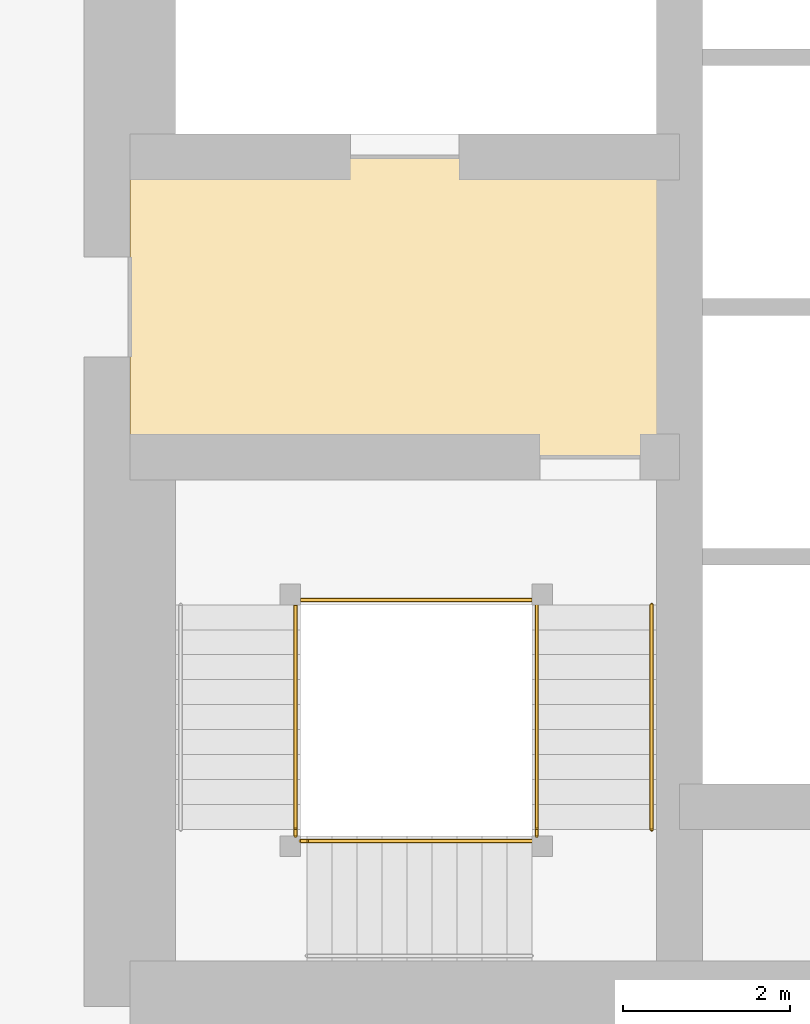
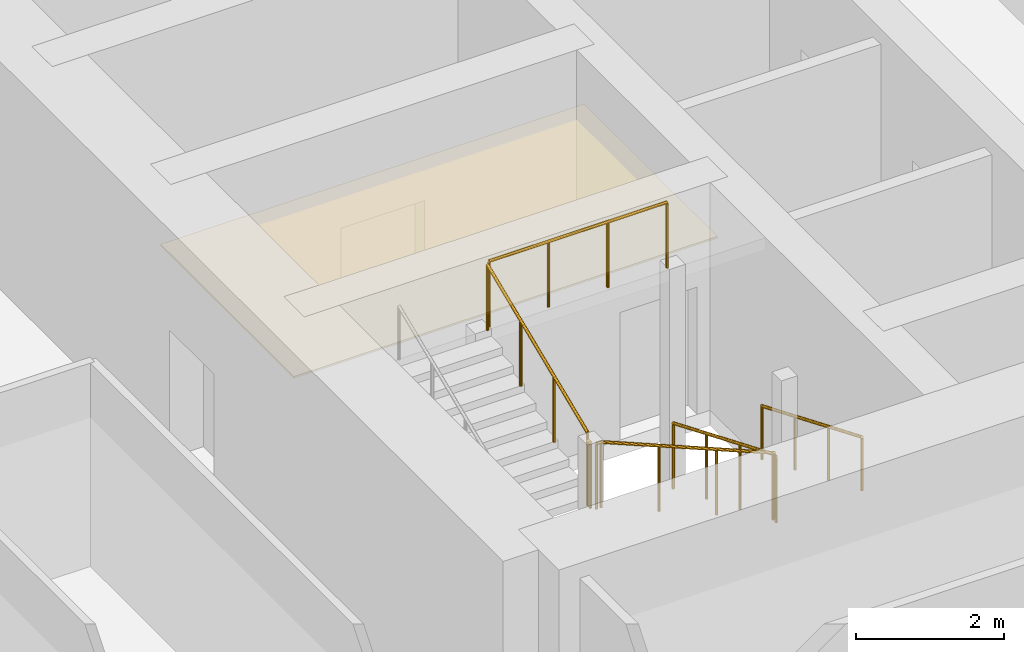
# One storey, part 37 of 44: 8 railings, 1 covering.
"""IFC4 building model written with IfcOpenShell, lengths in metres."""

from ifc_helpers import new_model, si_unit, direction, frame, origin, origin_2d, place, context, subcontext, project, spatial, polyline, circle, outline, extrude, material, layer, layer_set, type_object, element, save


model = new_model("IFC4")

# Units and contexts
model_context = context("Model", 3, precision=1e-05, world=origin(), true_north=direction((0.0, 1.0)))
body_context = subcontext(model_context, "Body", "Model", "MODEL_VIEW")
ifc_project = project(units=[si_unit("LENGTHUNIT", "METRE"), si_unit("AREAUNIT", "SQUARE_METRE"), si_unit("VOLUMEUNIT", "CUBIC_METRE"), si_unit("PLANEANGLEUNIT", "RADIAN"), si_unit("MASSUNIT", "GRAM", prefix="KILO")], contexts=[model_context])

# Site, building, storey
site_placement = place(None, origin())
site = spatial("IfcSite", under=ifc_project, at=site_placement, CompositionType="ELEMENT")
building_placement = place(site_placement, origin())
building = spatial("IfcBuilding", under=site, at=building_placement, Name="Rekha Terrace Tower", CompositionType="ELEMENT")
storey_placement = place(building_placement, frame((0.0, 0.0, 47.89990234375)))
storey = spatial("IfcBuildingStorey", under=building, at=storey_placement, Name="L11", CompositionType="ELEMENT", Elevation=47.89990234375)

# Covering
ifc_material_1 = material(Name="Powder-coated aluminium pan", Category="aluminium")
ifc_layer = layer(ifc_material_1, 0.030029296875)
ifc_layer_set = layer_set([ifc_layer], Name="Powder-coated aluminium pan")
covering_type = type_object("IfcCoveringType", Name="CL3 300x1200 metal pan ceiling", PredefinedType="CEILING", material=ifc_layer_set)
covering_placement = place(storey_placement, frame((0.0, 0.0, 2.570068359375)))
element("IfcCovering", 1, at=covering_placement, inside=storey, type_object=covering_type, Name="Ceiling L11-FLB1", PredefinedType="CEILING", context=body_context, shape_type="SweptSolid", body=[
    extrude(outline(polyline([(31.800048828125, 31.199951171875), (25.199951171875, 31.199951171875), (25.199951171875, 27.60009765625), (31.800048828125, 27.60009765625), (31.800048828125, 31.199951171875)])), origin(), (0.0, 0.0, 1.0), 0.030029296875),
])

# Railings
ifc_material_2 = material(Name="Stainless steel balustrade", Category="steel")
railing_type_1 = type_object("IfcRailingType", Name="GR1 1100 stair guard", PredefinedType="GUARDRAIL", material=ifc_material_2)
railing_1_placement = place(storey_placement, frame((30.0849609375, 25.824951171875, 0.125)))
element("IfcRailing", 2, at=railing_1_placement, inside=storey, type_object=railing_type_1, Name="Guard ST1 L11 flight 1", PredefinedType="GUARDRAIL", context=body_context, shape_type="SweptSolid", body=[
    extrude(circle(Radius=0.02392578125, at=origin_2d()), frame((0.0, 0.0, 1.076171875), z_axis=(0.0, -0.923074453586, 0.384621311341), x_axis=(1.0, 0.0, 0.0)), (0.0, 0.0, 1.0), 2.925048828125),
    extrude(circle(Radius=0.02099609375, at=origin_2d()), origin(), (0.0, 0.0, 1.0), 1.052001953125),
    extrude(circle(Radius=0.02099609375, at=origin_2d()), frame((0.0, -0.89990234375, 0.375)), (0.0, 0.0, 1.0), 1.052001953125),
    extrude(circle(Radius=0.02099609375, at=origin_2d()), frame((0.0, -1.800048828125, 0.75)), (0.0, 0.0, 1.0), 1.052001953125),
    extrude(circle(Radius=0.02099609375, at=origin_2d()), frame((0.0, -2.699951171875, 1.125)), (0.0, 0.0, 1.0), 1.052001953125),
])
railing_2_placement = place(storey_placement, frame((30.02490234375, 22.989990234375, 1.375)))
element("IfcRailing", 3, at=railing_2_placement, inside=storey, type_object=railing_type_1, Name="Guard ST1 L11 flight 2", PredefinedType="GUARDRAIL", context=body_context, shape_type="SweptSolid", body=[
    extrude(circle(Radius=0.02392578125, at=origin_2d()), frame((0.0, 0.0, 1.076171875), z_axis=(-0.923074453586, 0.0, 0.384621311341), x_axis=(0.0, -1.0, 0.0)), (0.0, 0.0, 1.0), 2.925048828125),
    extrude(circle(Radius=0.02099609375, at=origin_2d()), origin(), (0.0, 0.0, 1.0), 1.052001953125),
    extrude(circle(Radius=0.02099609375, at=origin_2d()), frame((-0.89990234375, 0.0, 0.375)), (0.0, 0.0, 1.0), 1.052001953125),
    extrude(circle(Radius=0.02099609375, at=origin_2d()), frame((-1.800048828125, 0.0, 0.75)), (0.0, 0.0, 1.0), 1.052001953125),
    extrude(circle(Radius=0.02099609375, at=origin_2d()), frame((-2.699951171875, 0.0, 1.125)), (0.0, 0.0, 1.0), 1.052001953125),
])
railing_3_placement = place(storey_placement, frame((27.18994140625, 23.125, 2.625)))
element("IfcRailing", 4, at=railing_3_placement, inside=storey, type_object=railing_type_1, Name="Guard ST1 L11 flight 3", PredefinedType="GUARDRAIL", context=body_context, shape_type="SweptSolid", body=[
    extrude(circle(Radius=0.02392578125, at=origin_2d()), frame((0.0, 0.0, 1.076171875), z_axis=(0.0, 0.923074453586, 0.384621311341), x_axis=(-1.0, 0.0, 0.0)), (0.0, 0.0, 1.0), 2.925048828125),
    extrude(circle(Radius=0.02099609375, at=origin_2d()), origin(), (0.0, 0.0, 1.0), 1.052001953125),
    extrude(circle(Radius=0.02099609375, at=origin_2d()), frame((0.0, 0.89990234375, 0.375)), (0.0, 0.0, 1.0), 1.052001953125),
    extrude(circle(Radius=0.02099609375, at=origin_2d()), frame((0.0, 1.800048828125, 0.75)), (0.0, 0.0, 1.0), 1.052001953125),
    extrude(circle(Radius=0.02099609375, at=origin_2d()), frame((0.0, 2.699951171875, 1.125)), (0.0, 0.0, 1.0), 1.052001953125),
])
railing_4_placement = place(storey_placement, frame((30.0849609375, 23.125, 1.25)))
element("IfcRailing", 5, at=railing_4_placement, inside=storey, type_object=railing_type_1, Name="Guard ST1 L11 landing 1", PredefinedType="GUARDRAIL", context=body_context, shape_type="SweptSolid", body=[
    extrude(circle(Radius=0.02392578125, at=origin_2d()), frame((0.0, 0.0, 1.076171875), z_axis=(0.0, -1.0, 0.0), x_axis=(1.0, 0.0, 0.0)), (0.0, 0.0, 1.0), 0.074951171875),
    extrude(circle(Radius=0.02099609375, at=origin_2d()), origin(), (0.0, 0.0, 1.0), 1.052001953125),
    extrude(circle(Radius=0.02099609375, at=origin_2d()), frame((0.0, -0.074951171875, 0.0)), (0.0, 0.0, 1.0), 1.052001953125),
])
railing_5_placement = place(storey_placement, frame((27.324951171875, 22.989990234375, 2.5)))
element("IfcRailing", 6, at=railing_5_placement, inside=storey, type_object=railing_type_1, Name="Guard ST1 L11 landing 2", PredefinedType="GUARDRAIL", context=body_context, shape_type="SweptSolid", body=[
    extrude(circle(Radius=0.02392578125, at=origin_2d()), frame((0.0, 0.0, 1.076171875), z_axis=(-1.0, 0.0, 0.0), x_axis=(0.0, -1.0, 0.0)), (0.0, 0.0, 1.0), 0.074951171875),
    extrude(circle(Radius=0.02099609375, at=origin_2d()), origin(), (0.0, 0.0, 1.0), 1.052001953125),
    extrude(circle(Radius=0.02099609375, at=origin_2d()), frame((-0.074951171875, 0.0, 0.0)), (0.0, 0.0, 1.0), 1.052001953125),
])
railing_6_placement = place(storey_placement, frame((27.18994140625, 23.125, 2.5)))
element("IfcRailing", 7, at=railing_6_placement, inside=storey, type_object=railing_type_1, Name="Guard ST1 L11 landing 3", PredefinedType="GUARDRAIL", context=body_context, shape_type="SweptSolid", body=[
    extrude(circle(Radius=0.02392578125, at=origin_2d()), frame((0.0, 0.0, 1.076171875), z_axis=(0.0, -1.0, 0.0), x_axis=(1.0, 0.0, 0.0)), (0.0, 0.0, 1.0), 0.074951171875),
    extrude(circle(Radius=0.02099609375, at=origin_2d()), origin(), (0.0, 0.0, 1.0), 1.052001953125),
    extrude(circle(Radius=0.02099609375, at=origin_2d()), frame((0.0, -0.074951171875, 0.0)), (0.0, 0.0, 1.0), 1.052001953125),
])
railing_7_placement = place(storey_placement, frame((30.02490234375, 25.885009765625, 3.75)))
element("IfcRailing", 8, at=railing_7_placement, inside=storey, type_object=railing_type_1, Name="Guard ST1 L11 landing 4", PredefinedType="GUARDRAIL", context=body_context, shape_type="SweptSolid", body=[
    extrude(circle(Radius=0.02392578125, at=origin_2d()), frame((0.0, 0.0, 1.076171875), z_axis=(-1.0, 0.0, 0.0), x_axis=(0.0, -1.0, 0.0)), (0.0, 0.0, 1.0), 2.77490234375),
    extrude(circle(Radius=0.02099609375, at=origin_2d()), origin(), (0.0, 0.0, 1.0), 1.052001953125),
    extrude(circle(Radius=0.02099609375, at=origin_2d()), frame((-0.925048828125, 0.0, 0.0)), (0.0, 0.0, 1.0), 1.052001953125),
    extrude(circle(Radius=0.02099609375, at=origin_2d()), frame((-1.849853515625, 0.0, 0.0)), (0.0, 0.0, 1.0), 1.052001953125),
    extrude(circle(Radius=0.02099609375, at=origin_2d()), frame((-2.77490234375, 0.0, 0.0)), (0.0, 0.0, 1.0), 1.052001953125),
])
ifc_material_3 = material(Name="Stainless steel tube", Category="steel")
railing_type_2 = type_object("IfcRailingType", Name="HR1 900 stair handrail", PredefinedType="HANDRAIL", material=ifc_material_3)
railing_8_placement = place(storey_placement, frame((31.465087890625, 25.824951171875, 0.125)))
element("IfcRailing", 9, at=railing_8_placement, inside=storey, type_object=railing_type_2, Name="Handrail ST1 L11 flight 1", PredefinedType="HANDRAIL", context=body_context, shape_type="SweptSolid", body=[
    extrude(circle(Radius=0.02392578125, at=origin_2d()), frame((0.0, 0.0, 0.8759765625), z_axis=(0.0, -0.923074453586, 0.384621311341), x_axis=(1.0, 0.0, 0.0)), (0.0, 0.0, 1.0), 2.925048828125),
    extrude(circle(Radius=0.02099609375, at=origin_2d()), origin(), (0.0, 0.0, 1.0), 0.851806640625),
    extrude(circle(Radius=0.02099609375, at=origin_2d()), frame((0.0, -0.89990234375, 0.375)), (0.0, 0.0, 1.0), 0.851806640625),
    extrude(circle(Radius=0.02099609375, at=origin_2d()), frame((0.0, -1.800048828125, 0.75)), (0.0, 0.0, 1.0), 0.851806640625),
    extrude(circle(Radius=0.02099609375, at=origin_2d()), frame((0.0, -2.699951171875, 1.125)), (0.0, 0.0, 1.0), 0.851806640625),
])

save(model, "model.ifc")
